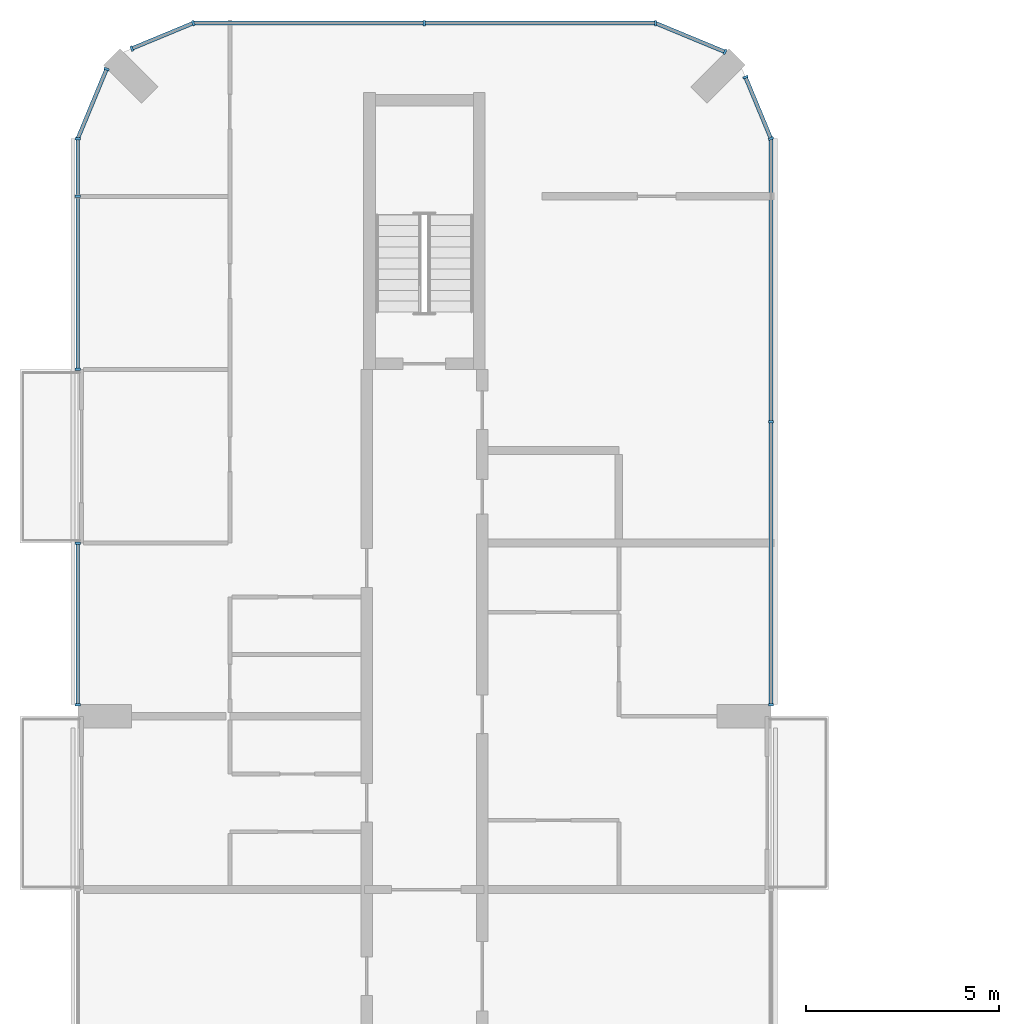
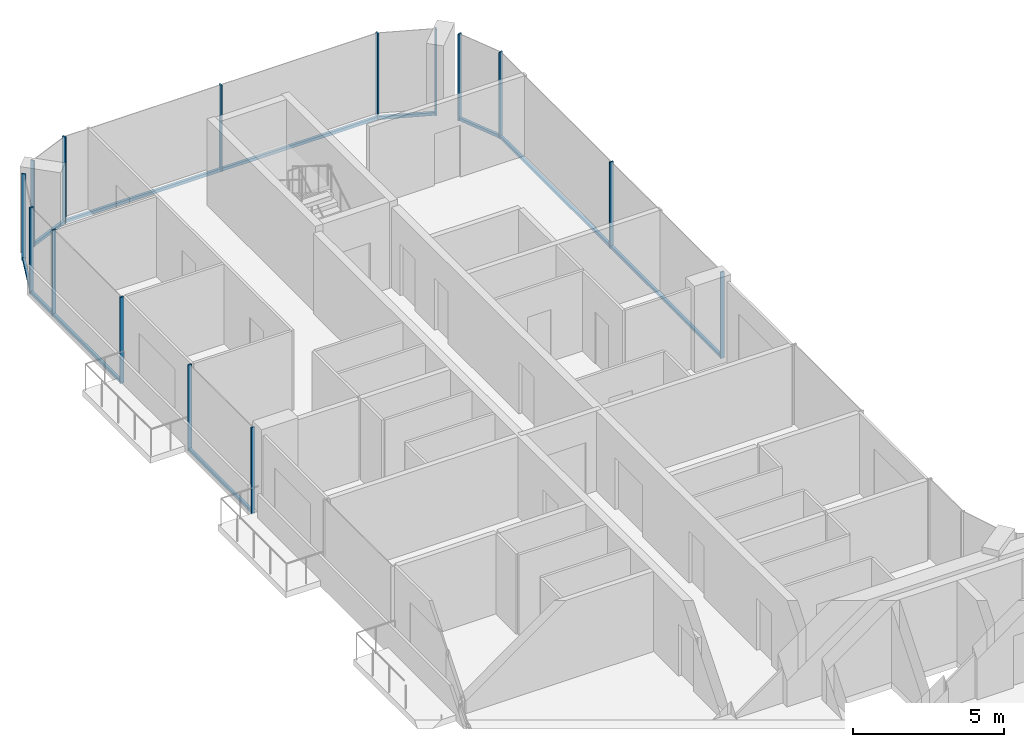
# One storey, part 7 of 16: 23 members, 8 elements without a shape of their own.
"""IFC4 building model written with IfcOpenShell, lengths in metres."""

from ifc_helpers import new_model, si_unit, direction, frame, origin, origin_2d, place, context, subcontext, project, spatial, rectangle, extrude, material, layer, layer_set, material_profile, profile_set, type_object, element, aggregate, save


model = new_model("IFC4")

# Units and contexts
model_context = context("Model", 3, precision=1e-05, world=origin(), true_north=direction((0.0, 1.0)))
body_context = subcontext(model_context, "Body", "Model", "MODEL_VIEW")
ifc_project = project(units=[si_unit("LENGTHUNIT", "METRE"), si_unit("AREAUNIT", "SQUARE_METRE"), si_unit("VOLUMEUNIT", "CUBIC_METRE"), si_unit("PLANEANGLEUNIT", "RADIAN"), si_unit("MASSUNIT", "GRAM", prefix="KILO")], contexts=[model_context])

# Site, building, storey
site_placement = place(None, origin())
site = spatial("IfcSite", under=ifc_project, at=site_placement, CompositionType="ELEMENT")
building_placement = place(site_placement, origin())
building = spatial("IfcBuilding", under=site, at=building_placement, Name="Plateau Cross Towers", CompositionType="ELEMENT")
storey_placement = place(building_placement, frame((0.0, 0.0, 167.39990234375)))
storey = spatial("IfcBuildingStorey", under=building, at=storey_placement, Name="L43", CompositionType="ELEMENT", Elevation=167.39990234375)

# Curtain wall, members
ifc_material_1 = material(Name="Dark low-iron glass", Category="glass")
ifc_layer = layer(ifc_material_1, 0.239990234375)
ifc_layer_set = layer_set([ifc_layer], Name="Dark low-iron glass")
curtain_wall_type = type_object("IfcCurtainWallType", Name="Curtain wall flush unitised CW-B", PredefinedType="NOTDEFINED", material=ifc_layer_set)
curtain_wall_1_placement = place(storey_placement, origin())
curtain_wall_1 = element("IfcCurtainWall", 1, at=curtain_wall_1_placement, inside=storey, type_object=curtain_wall_type, Name="ENV/A/L43/A180_363", PredefinedType="NOTDEFINED")
ifc_material_2 = material(Name="Black anodised aluminium", Category="aluminium")
ifc_material_profile_1 = material_profile(ifc_material_2, rectangle(XDim=0.06005859375, YDim=0.139892578125, at=origin_2d()), Name="MULLION 60x140")
ifc_profile_set_1 = profile_set([ifc_material_profile_1], Name="Black anodised aluminium")
member_type_1 = type_object("IfcMemberType", Name="Mullion 60x140 flush unitised", PredefinedType="MULLION", material=ifc_profile_set_1)
member_1_placement = place(storey_placement, frame((18.0, 36.300048828125, -0.25), z_axis=(0.0, 0.0, 1.0), x_axis=(0.0, 1.0, 0.0)))
member_1 = element("IfcMember", 2, at=member_1_placement, type_object=member_type_1, Name="CW-B mullion 1", PredefinedType="MULLION", context=body_context, shape_type="SweptSolid", body=[
    extrude(rectangle(XDim=0.06005859375, YDim=0.139892578125, at=origin_2d()), origin(), (0.0, 0.0, 1.0), 3.5),
])
member_2_placement = place(storey_placement, frame((18.0, 43.64990234375, -0.25), z_axis=(0.0, 0.0, 1.0), x_axis=(0.0, 1.0, 0.0)))
member_2 = element("IfcMember", 3, at=member_2_placement, type_object=member_type_1, Name="CW-B mullion 2", PredefinedType="MULLION", context=body_context, shape_type="SweptSolid", body=[
    extrude(rectangle(XDim=0.06005859375, YDim=0.139892578125, at=origin_2d()), origin(), (0.0, 0.0, 1.0), 3.5),
])

curtain_wall_2_placement = place(storey_placement, origin())
curtain_wall_2 = element("IfcCurtainWall", 4, at=curtain_wall_2_placement, inside=storey, type_object=curtain_wall_type, Name="ENV/A/L43/A180_510", PredefinedType="NOTDEFINED")
member_3_placement = place(storey_placement, frame((18.0, 51.0, -0.25), z_axis=(0.0, 0.0, 1.0), x_axis=(-0.382683612978, 0.923879457699, 0.0)))
member_3 = element("IfcMember", 5, at=member_3_placement, type_object=member_type_1, Name="CW-B mullion 1", PredefinedType="MULLION", context=body_context, shape_type="SweptSolid", body=[
    extrude(rectangle(XDim=0.06005859375, YDim=0.139892578125, at=origin_2d()), origin(), (0.0, 0.0, 1.0), 3.5),
])
member_4_placement = place(storey_placement, frame((17.338623046875, 52.5966796875, -0.25), z_axis=(0.0, 0.0, 1.0), x_axis=(-0.382683612978, 0.923879457699, 0.0)))
member_4 = element("IfcMember", 6, at=member_4_placement, type_object=member_type_1, Name="CW-B mullion 2", PredefinedType="MULLION", context=body_context, shape_type="SweptSolid", body=[
    extrude(rectangle(XDim=0.06005859375, YDim=0.139892578125, at=origin_2d()), origin(), (0.0, 0.0, 1.0), 3.5),
])

# Curtain wall, member
curtain_wall_3_placement = place(storey_placement, origin())
curtain_wall_3 = element("IfcCurtainWall", 7, at=curtain_wall_3_placement, inside=storey, type_object=curtain_wall_type, Name="ENV/A/L43/A168_533", PredefinedType="NOTDEFINED")
member_5_placement = place(storey_placement, frame((16.805908203125, 53.251953125, -0.25), z_axis=(0.0, 0.0, 1.0), x_axis=(-0.923879457699, 0.382683612978, 0.0)))
member_5 = element("IfcMember", 8, at=member_5_placement, type_object=member_type_1, Name="CW-B mullion 1", PredefinedType="MULLION", context=body_context, shape_type="SweptSolid", body=[
    extrude(rectangle(XDim=0.06005859375, YDim=0.139892578125, at=origin_2d()), origin(), (0.0, 0.0, 1.0), 3.5),
])

# Curtain wall, members
curtain_wall_4_placement = place(storey_placement, origin())
curtain_wall_4 = element("IfcCurtainWall", 9, at=curtain_wall_4_placement, inside=storey, type_object=curtain_wall_type, Name="ENV/A/L43/A150_540", PredefinedType="NOTDEFINED")
member_6_placement = place(storey_placement, frame((15.0, 54.0, -0.25), z_axis=(0.0, 0.0, 1.0), x_axis=(-1.0, 0.0, 0.0)))
member_6 = element("IfcMember", 10, at=member_6_placement, type_object=member_type_1, Name="CW-B mullion 1", PredefinedType="MULLION", context=body_context, shape_type="SweptSolid", body=[
    extrude(rectangle(XDim=0.06005859375, YDim=0.139892578125, at=origin_2d()), origin(), (0.0, 0.0, 1.0), 3.5),
])
member_7_placement = place(storey_placement, frame((9.0, 54.0, -0.25), z_axis=(0.0, 0.0, 1.0), x_axis=(-1.0, 0.0, 0.0)))
member_7 = element("IfcMember", 11, at=member_7_placement, type_object=member_type_1, Name="CW-B mullion 2", PredefinedType="MULLION", context=body_context, shape_type="SweptSolid", body=[
    extrude(rectangle(XDim=0.06005859375, YDim=0.139892578125, at=origin_2d()), origin(), (0.0, 0.0, 1.0), 3.5),
])

curtain_wall_5_placement = place(storey_placement, origin())
curtain_wall_5 = element("IfcCurtainWall", 12, at=curtain_wall_5_placement, inside=storey, type_object=curtain_wall_type, Name="ENV/A/L43/A30_540", PredefinedType="NOTDEFINED")
member_8_placement = place(storey_placement, frame((3.0, 54.0, -0.25), z_axis=(0.0, 0.0, 1.0), x_axis=(-0.923879457699, -0.382683612978, 0.0)))
member_8 = element("IfcMember", 13, at=member_8_placement, type_object=member_type_1, Name="CW-B mullion 1", PredefinedType="MULLION", context=body_context, shape_type="SweptSolid", body=[
    extrude(rectangle(XDim=0.06005859375, YDim=0.139892578125, at=origin_2d()), origin(), (0.0, 0.0, 1.0), 3.5),
])
member_9_placement = place(storey_placement, frame((1.4033203125, 53.338623046875, -0.25), z_axis=(0.0, 0.0, 1.0), x_axis=(-0.923879457699, -0.382683612978, 0.0)))
member_9 = element("IfcMember", 14, at=member_9_placement, type_object=member_type_1, Name="CW-B mullion 2", PredefinedType="MULLION", context=body_context, shape_type="SweptSolid", body=[
    extrude(rectangle(XDim=0.06005859375, YDim=0.139892578125, at=origin_2d()), origin(), (0.0, 0.0, 1.0), 3.5),
])

# Curtain wall, member
curtain_wall_6_placement = place(storey_placement, origin())
curtain_wall_6 = element("IfcCurtainWall", 15, at=curtain_wall_6_placement, inside=storey, type_object=curtain_wall_type, Name="ENV/A/L43/A7_528", PredefinedType="NOTDEFINED")
member_10_placement = place(storey_placement, frame((0.748046875, 52.805908203125, -0.25), z_axis=(0.0, 0.0, 1.0), x_axis=(-0.382683612978, -0.923879457699, 0.0)))
member_10 = element("IfcMember", 16, at=member_10_placement, type_object=member_type_1, Name="CW-B mullion 1", PredefinedType="MULLION", context=body_context, shape_type="SweptSolid", body=[
    extrude(rectangle(XDim=0.06005859375, YDim=0.139892578125, at=origin_2d()), origin(), (0.0, 0.0, 1.0), 3.5),
])

# Curtain wall, members
curtain_wall_7_placement = place(storey_placement, origin())
curtain_wall_7 = element("IfcCurtainWall", 17, at=curtain_wall_7_placement, inside=storey, type_object=curtain_wall_type, Name="ENV/A/L43/A0_510", PredefinedType="NOTDEFINED")
member_11_placement = place(storey_placement, frame((0.0, 51.0, -0.25), z_axis=(0.0, 0.0, 1.0), x_axis=(0.0, -1.0, 0.0)))
member_11 = element("IfcMember", 18, at=member_11_placement, type_object=member_type_1, Name="CW-B mullion 1", PredefinedType="MULLION", context=body_context, shape_type="SweptSolid", body=[
    extrude(rectangle(XDim=0.06005859375, YDim=0.139892578125, at=origin_2d()), origin(), (0.0, 0.0, 1.0), 3.5),
])
member_12_placement = place(storey_placement, frame((0.0, 49.5, -0.25), z_axis=(0.0, 0.0, 1.0), x_axis=(0.0, -1.0, 0.0)))
member_12 = element("IfcMember", 19, at=member_12_placement, type_object=member_type_1, Name="CW-B mullion 2", PredefinedType="MULLION", context=body_context, shape_type="SweptSolid", body=[
    extrude(rectangle(XDim=0.06005859375, YDim=0.139892578125, at=origin_2d()), origin(), (0.0, 0.0, 1.0), 3.5),
])
member_13_placement = place(storey_placement, frame((0.0, 45.010009765625, -0.25), z_axis=(0.0, 0.0, 1.0), x_axis=(0.0, -1.0, 0.0)))
member_13 = element("IfcMember", 20, at=member_13_placement, type_object=member_type_1, Name="CW-B mullion 3", PredefinedType="MULLION", context=body_context, shape_type="SweptSolid", body=[
    extrude(rectangle(XDim=0.06005859375, YDim=0.139892578125, at=origin_2d()), origin(), (0.0, 0.0, 1.0), 3.5),
])

curtain_wall_8_placement = place(storey_placement, origin())
curtain_wall_8 = element("IfcCurtainWall", 21, at=curtain_wall_8_placement, inside=storey, type_object=curtain_wall_type, Name="ENV/A/L43/A0_405", PredefinedType="NOTDEFINED")
member_14_placement = place(storey_placement, frame((0.0, 40.489990234375, -0.25), z_axis=(0.0, 0.0, 1.0), x_axis=(0.0, -1.0, 0.0)))
member_14 = element("IfcMember", 22, at=member_14_placement, type_object=member_type_1, Name="CW-B mullion 1", PredefinedType="MULLION", context=body_context, shape_type="SweptSolid", body=[
    extrude(rectangle(XDim=0.06005859375, YDim=0.139892578125, at=origin_2d()), origin(), (0.0, 0.0, 1.0), 3.5),
])
member_15_placement = place(storey_placement, frame((0.0, 36.300048828125, -0.25), z_axis=(0.0, 0.0, 1.0), x_axis=(0.0, -1.0, 0.0)))
member_15 = element("IfcMember", 23, at=member_15_placement, type_object=member_type_1, Name="CW-B mullion 2", PredefinedType="MULLION", context=body_context, shape_type="SweptSolid", body=[
    extrude(rectangle(XDim=0.06005859375, YDim=0.139892578125, at=origin_2d()), origin(), (0.0, 0.0, 1.0), 3.5),
])

# Member
ifc_material_profile_2 = material_profile(ifc_material_2, rectangle(XDim=0.10009765625, YDim=0.1201171875, at=origin_2d()), Name="TRANSOM 100x120")
ifc_profile_set_2 = profile_set([ifc_material_profile_2], Name="Black anodised aluminium")
member_type_2 = type_object("IfcMemberType", Name="Transom 100x120 flush unitised", PredefinedType="USERDEFINED", material=ifc_profile_set_2)
member_16_placement = place(storey_placement, frame((18.0, 36.300048828125, -0.18994140625), z_axis=(0.0, 1.0, 0.0), x_axis=(-1.0, 0.0, 0.0)))
member_16 = element("IfcMember", 24, at=member_16_placement, type_object=member_type_2, Name="CW-B transom", ObjectType="TRANSOM", PredefinedType="USERDEFINED", context=body_context, shape_type="SweptSolid", body=[
    extrude(rectangle(XDim=0.10009765625, YDim=0.1201171875, at=origin_2d()), origin(), (0.0, 0.0, 1.0), 14.699951171875),
])

aggregate(curtain_wall_1, [member_1, member_2, member_16])

member_17_placement = place(storey_placement, frame((18.0, 51.0, -0.18994140625), z_axis=(-0.382688653628, 0.923877369776, 0.0), x_axis=(-0.923877369776, -0.382688653628, 0.0)))
member_17 = element("IfcMember", 25, at=member_17_placement, type_object=member_type_2, Name="CW-B transom", ObjectType="TRANSOM", PredefinedType="USERDEFINED", context=body_context, shape_type="SweptSolid", body=[
    extrude(rectangle(XDim=0.10009765625, YDim=0.1201171875, at=origin_2d()), origin(), (0.0, 0.0, 1.0), 1.728271484375),
])

aggregate(curtain_wall_2, [member_3, member_4, member_17])

member_18_placement = place(storey_placement, frame((16.805908203125, 53.251953125, -0.18994140625), z_axis=(-0.92387678234, 0.382690071798, 0.0), x_axis=(-0.382690071798, -0.92387678234, 0.0)))
member_18 = element("IfcMember", 26, at=member_18_placement, type_object=member_type_2, Name="CW-B transom", ObjectType="TRANSOM", PredefinedType="USERDEFINED", context=body_context, shape_type="SweptSolid", body=[
    extrude(rectangle(XDim=0.10009765625, YDim=0.1201171875, at=origin_2d()), origin(), (0.0, 0.0, 1.0), 1.95458984375),
])

aggregate(curtain_wall_3, [member_5, member_18])

member_19_placement = place(storey_placement, frame((15.0, 54.0, -0.18994140625), z_axis=(-1.0, 0.0, 0.0), x_axis=(0.0, -1.0, 0.0)))
member_19 = element("IfcMember", 27, at=member_19_placement, type_object=member_type_2, Name="CW-B transom", ObjectType="TRANSOM", PredefinedType="USERDEFINED", context=body_context, shape_type="SweptSolid", body=[
    extrude(rectangle(XDim=0.10009765625, YDim=0.1201171875, at=origin_2d()), origin(), (0.0, 0.0, 1.0), 12.0),
])

aggregate(curtain_wall_4, [member_6, member_7, member_19])

member_20_placement = place(storey_placement, frame((3.0, 54.0, -0.18994140625), z_axis=(-0.923877369776, -0.382688653628, 0.0), x_axis=(0.382688653628, -0.923877369776, 0.0)))
member_20 = element("IfcMember", 28, at=member_20_placement, type_object=member_type_2, Name="CW-B transom", ObjectType="TRANSOM", PredefinedType="USERDEFINED", context=body_context, shape_type="SweptSolid", body=[
    extrude(rectangle(XDim=0.10009765625, YDim=0.1201171875, at=origin_2d()), origin(), (0.0, 0.0, 1.0), 1.728271484375),
])

aggregate(curtain_wall_5, [member_8, member_9, member_20])

member_21_placement = place(storey_placement, frame((0.748046875, 52.805908203125, -0.18994140625), z_axis=(-0.382690071798, -0.92387678234, 0.0), x_axis=(0.92387678234, -0.382690071798, 0.0)))
member_21 = element("IfcMember", 29, at=member_21_placement, type_object=member_type_2, Name="CW-B transom", ObjectType="TRANSOM", PredefinedType="USERDEFINED", context=body_context, shape_type="SweptSolid", body=[
    extrude(rectangle(XDim=0.10009765625, YDim=0.1201171875, at=origin_2d()), origin(), (0.0, 0.0, 1.0), 1.95458984375),
])

aggregate(curtain_wall_6, [member_10, member_21])

member_22_placement = place(storey_placement, frame((0.0, 51.0, -0.18994140625), z_axis=(0.0, -1.0, 0.0), x_axis=(1.0, 0.0, 0.0)))
member_22 = element("IfcMember", 30, at=member_22_placement, type_object=member_type_2, Name="CW-B transom", ObjectType="TRANSOM", PredefinedType="USERDEFINED", context=body_context, shape_type="SweptSolid", body=[
    extrude(rectangle(XDim=0.10009765625, YDim=0.1201171875, at=origin_2d()), origin(), (0.0, 0.0, 1.0), 5.989990234375),
])

aggregate(curtain_wall_7, [member_11, member_12, member_13, member_22])

member_23_placement = place(storey_placement, frame((0.0, 40.489990234375, -0.18994140625), z_axis=(0.0, -1.0, 0.0), x_axis=(1.0, 0.0, 0.0)))
member_23 = element("IfcMember", 31, at=member_23_placement, type_object=member_type_2, Name="CW-B transom", ObjectType="TRANSOM", PredefinedType="USERDEFINED", context=body_context, shape_type="SweptSolid", body=[
    extrude(rectangle(XDim=0.10009765625, YDim=0.1201171875, at=origin_2d()), origin(), (0.0, 0.0, 1.0), 4.18994140625),
])

aggregate(curtain_wall_8, [member_14, member_15, member_23])

save(model, "model.ifc")
